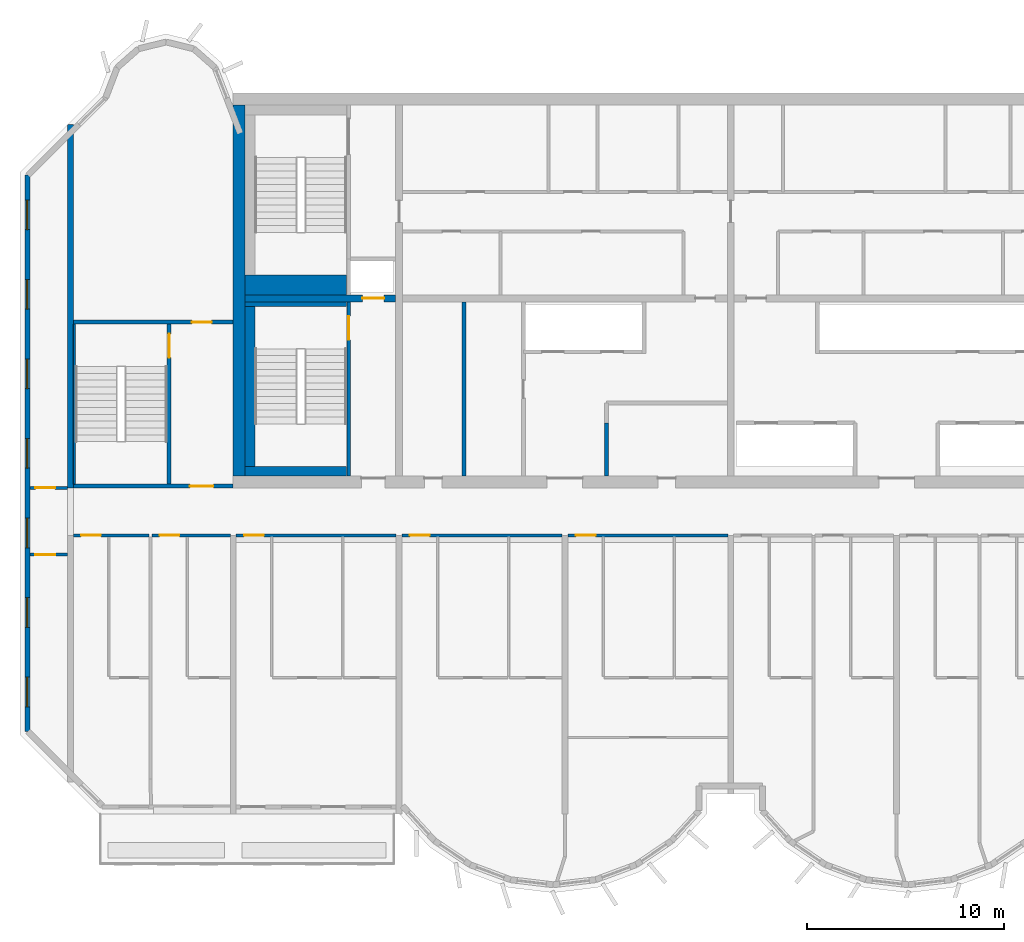
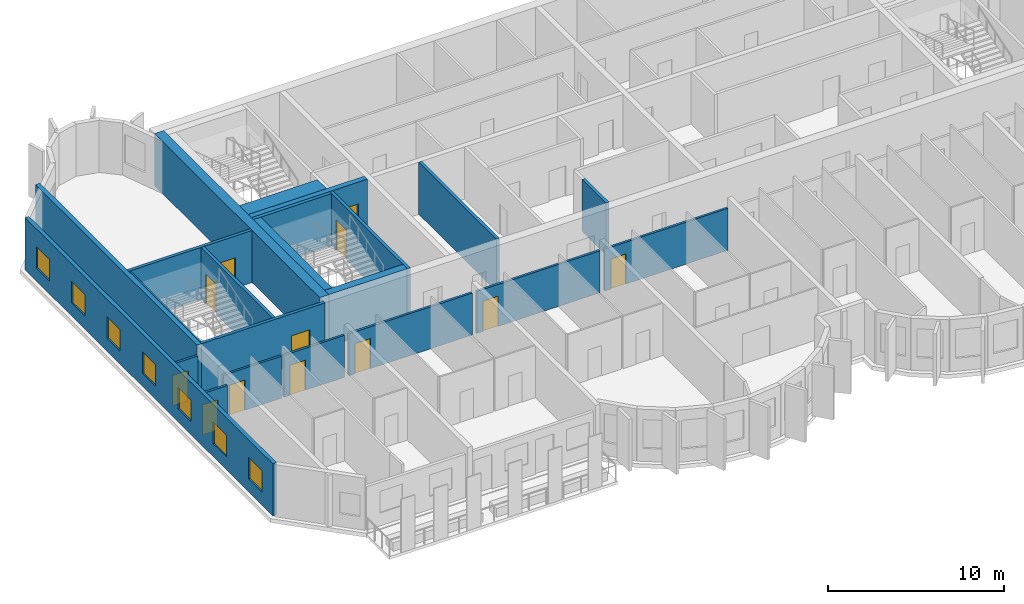
# One storey, part 3 of 11: 22 walls, 12 doors, 7 windows, 19 openings.
"""IFC4 building model written with IfcOpenShell, lengths in metres."""

from ifc_helpers import new_model, si_unit, direction, frame, frame_2d, origin, place, context, subcontext, project, spatial, rectangle, extrude, source, transform, mapped, material, layer, layer_set, type_object, element, fill, save


model = new_model("IFC4")

# Units and contexts
model_context = context("Model", 3, precision=1e-05, world=origin(), true_north=direction((0.0, 1.0)))
body_context = subcontext(model_context, "Body", "Model", "MODEL_VIEW")
ifc_project = project(units=[si_unit("LENGTHUNIT", "METRE"), si_unit("AREAUNIT", "SQUARE_METRE"), si_unit("VOLUMEUNIT", "CUBIC_METRE"), si_unit("PLANEANGLEUNIT", "RADIAN"), si_unit("MASSUNIT", "GRAM", prefix="KILO")], contexts=[model_context])

# Site, building, storey
site_placement = place(None, origin())
site = spatial("IfcSite", under=ifc_project, at=site_placement, CompositionType="ELEMENT")
building_placement = place(site_placement, origin())
building = spatial("IfcBuilding", under=site, at=building_placement, Name="Vanashikhar Sky Hotel", CompositionType="ELEMENT")
storey_placement = place(building_placement, frame((0.0, 0.0, 217.89990234375)))
storey = spatial("IfcBuildingStorey", under=building, at=storey_placement, Name="L52", CompositionType="ELEMENT", Elevation=217.89990234375)

# Wall
ifc_material_1 = material(Name="Concrete M60", Category="concrete")
ifc_layer_1 = layer(ifc_material_1, 0.60009765625)
ifc_layer_set_1 = layer_set([ifc_layer_1], Name="RC core shell wall 600 Concrete M60")
wall_type_1 = type_object("IfcWallType", Name="RC core shell wall 600 Concrete M60", PredefinedType="SHEAR", material=ifc_layer_set_1)
shared_shape_1 = source(origin(), body_context, "Body", "SweptSolid", [
    extrude(rectangle(XDim=18.7998046875, YDim=0.60009765625, at=frame_2d((9.39990234375, 0.0))), origin(), (0.0, 0.0, 1.0), 3.6201171875),
])
wall_1_placement = place(storey_placement, frame((25.5, 22.60009765625, 0.0), z_axis=(0.0, 0.0, 1.0), x_axis=(0.0, 1.0, 0.0)))
element("IfcWall", 1, at=wall_1_placement, inside=storey, type_object=wall_type_1, Name="KW-L52-KW", PredefinedType="SHEAR", context=body_context, shape_type="MappedRepresentation", body=[
    mapped(shared_shape_1, transform((0.0, 0.0, 0.0), scale=1.0)),
])

# Wall, opening, door
ifc_layer_2 = layer(ifc_material_1, 0.35009765625)
ifc_layer_set_2 = layer_set([ifc_layer_2], Name="RC core inner wall 350 Concrete M60")
wall_type_2 = type_object("IfcWallType", Name="RC core inner wall 350 Concrete M60", PredefinedType="SHEAR", material=ifc_layer_set_2)
shared_shape_2 = source(origin(), body_context, "Body", "SweptSolid", [
    extrude(rectangle(XDim=7.625, YDim=0.35009765625, at=frame_2d((3.8125, 0.0))), origin(), (0.0, 0.0, 1.0), 3.6201171875),
])
wall_2_placement = place(storey_placement, frame((25.800048828125, 31.60009765625, 0.0), z_axis=(0.0, 0.0, 1.0), x_axis=(1.0, 0.0, 0.0)))
wall_2 = element("IfcWall", 2, at=wall_2_placement, inside=storey, type_object=wall_type_2, Name="KW-L52-KY1", PredefinedType="SHEAR", context=body_context, shape_type="MappedRepresentation", body=[
    mapped(shared_shape_2, transform((0.0, 0.0, 0.0), scale=1.0)),
])
shared_shape_3 = source(origin(), body_context, "Body", "SweptSolid", [
    extrude(rectangle(XDim=1.10009765625, YDim=2.10009765625, at=frame_2d((0.550048828125, 1.050048828125))), frame((0.0, 0.18505859375, 0.0), z_axis=(0.0, -1.0, 0.0), x_axis=(1.0, 0.0, 0.0)), (0.0, 0.0, 1.0), 0.3701171875),
])
opening_1_placement = place(wall_2_placement, frame((5.93798828125, 0.0, 0.0)))
opening_1 = element("IfcOpeningElement", 3, at=opening_1_placement, cuts=wall_2, Name="Opening LD", PredefinedType="OPENING", context=body_context, shape_type="MappedRepresentation", body=[
    mapped(shared_shape_3, transform((0.0, 0.0, 0.0), scale=1.0)),
])
ifc_material_2 = material(Name="Stainless steel", Category="steel")
door_type_1 = type_object("IfcDoorType", Name="Lift landing door 1100", OperationType="NOTDEFINED", PredefinedType="DOOR", material=ifc_material_2)
shared_shape_4 = source(origin(), body_context, "Body", "SweptSolid", [
    extrude(rectangle(XDim=1.10009765625, YDim=2.10009765625, at=frame_2d((0.550048828125, 1.050048828125))), frame((0.0, 0.02490234375, 0.0), z_axis=(0.0, -1.0, 0.0), x_axis=(1.0, 0.0, 0.0)), (0.0, 0.0, 1.0), 0.050048828125),
])
door_1_placement = place(opening_1_placement, origin())
door_1 = element("IfcDoor", 4, at=door_1_placement, inside=storey, type_object=door_type_1, Name="Lift landing door 1100", OperationType="SLIDING_TO_LEFT", OverallHeight=2.10009765625, OverallWidth=1.10009765625, PredefinedType="DOOR", context=body_context, shape_type="MappedRepresentation", body=[
    mapped(shared_shape_4, transform((0.0, 0.0, 0.0), scale=1.0)),
])
fill(opening_1, door_1)

# Wall
ifc_layer_3 = layer(ifc_material_1, 0.300048828125)
ifc_layer_set_3 = layer_set([ifc_layer_3], Name="RC shear wall 300 Concrete M60")
wall_type_3 = type_object("IfcWallType", Name="RC shear wall 300 Concrete M60", PredefinedType="SHEAR", material=ifc_layer_set_3)
shared_shape_5 = source(origin(), body_context, "Body", "SweptSolid", [
    extrude(rectangle(XDim=18.39990234375, YDim=0.300048828125, at=frame_2d((9.199951171875, 0.0))), origin(), (0.0, 0.0, 1.0), 3.6201171875),
])
wall_3_placement = place(storey_placement, frame((16.949951171875, 22.0, 0.0), z_axis=(0.0, 0.0, 1.0), x_axis=(0.0, 1.0, 0.0)))
element("IfcWall", 5, at=wall_3_placement, inside=storey, type_object=wall_type_3, Name="CW-L52-XW03-2", PredefinedType="SHEAR", context=body_context, shape_type="MappedRepresentation", body=[
    mapped(shared_shape_5, transform((0.0, 0.0, 0.0), scale=1.0)),
])

# Wall, openings, windows
ifc_material_3 = material(Name="Concrete M50", Category="concrete")
ifc_layer_4 = layer(ifc_material_3, 0.25)
ifc_layer_set_4 = layer_set([ifc_layer_4], Name="Rear and end board-marked wall 250")
wall_type_4 = type_object("IfcWallType", Name="Rear and end board-marked wall 250", PredefinedType="SOLIDWALL", material=ifc_layer_set_4)
shared_shape_6 = source(origin(), body_context, "Body", "SweptSolid", [
    extrude(rectangle(XDim=28.189453125, YDim=0.25, at=frame_2d((14.0947265625, 0.0))), origin(), (0.0, 0.0, 1.0), 3.6201171875),
])
wall_4_placement = place(storey_placement, frame((14.77490234375, 37.8447265625, 0.0), z_axis=(0.0, 0.0, 1.0), x_axis=(0.0, -1.0, 0.0)))
wall_4 = element("IfcWall", 6, at=wall_4_placement, inside=storey, type_object=wall_type_4, Name="End board-marked wall", PredefinedType="SOLIDWALL", context=body_context, shape_type="MappedRepresentation", body=[
    mapped(shared_shape_6, transform((0.0, 0.0, 0.0), scale=1.0)),
])
shared_shape_7 = source(origin(), body_context, "Body", "SweptSolid", [
    extrude(rectangle(XDim=1.5, YDim=1.5, at=frame_2d((0.75, 0.75))), frame((0.0, 0.135009765625, 0.0), z_axis=(0.0, -1.0, 0.0), x_axis=(1.0, 0.0, 0.0)), (0.0, 0.0, 1.0), 0.27001953125),
])
opening_2_placement = place(wall_4_placement, frame((1.263427734375, 0.0, 0.89990234375)))
opening_2 = element("IfcOpeningElement", 7, at=opening_2_placement, cuts=wall_4, Name="Opening WN-1", PredefinedType="OPENING", context=body_context, shape_type="MappedRepresentation", body=[
    mapped(shared_shape_7, transform((0.0, 0.0, 0.0), scale=1.0)),
])
opening_3_placement = place(wall_4_placement, frame((5.29052734375, 0.0, 0.89990234375)))
opening_3 = element("IfcOpeningElement", 8, at=opening_3_placement, cuts=wall_4, Name="Opening WN-1", PredefinedType="OPENING", context=body_context, shape_type="MappedRepresentation", body=[
    mapped(shared_shape_7, transform((0.0, 0.0, 0.0), scale=1.0)),
])
opening_4_placement = place(wall_4_placement, frame((9.317626953125, 0.0, 0.89990234375)))
opening_4 = element("IfcOpeningElement", 9, at=opening_4_placement, cuts=wall_4, Name="Opening WN-1", PredefinedType="OPENING", context=body_context, shape_type="MappedRepresentation", body=[
    mapped(shared_shape_7, transform((0.0, 0.0, 0.0), scale=1.0)),
])
opening_5_placement = place(wall_4_placement, frame((13.3447265625, 0.0, 0.89990234375)))
opening_5 = element("IfcOpeningElement", 10, at=opening_5_placement, cuts=wall_4, Name="Opening WN-1", PredefinedType="OPENING", context=body_context, shape_type="MappedRepresentation", body=[
    mapped(shared_shape_7, transform((0.0, 0.0, 0.0), scale=1.0)),
])
opening_6_placement = place(wall_4_placement, frame((17.371826171875, 0.0, 0.89990234375)))
opening_6 = element("IfcOpeningElement", 11, at=opening_6_placement, cuts=wall_4, Name="Opening WN-1", PredefinedType="OPENING", context=body_context, shape_type="MappedRepresentation", body=[
    mapped(shared_shape_7, transform((0.0, 0.0, 0.0), scale=1.0)),
])
opening_7_placement = place(wall_4_placement, frame((21.398681640625, 0.0, 0.89990234375)))
opening_7 = element("IfcOpeningElement", 12, at=opening_7_placement, cuts=wall_4, Name="Opening WN-1", PredefinedType="OPENING", context=body_context, shape_type="MappedRepresentation", body=[
    mapped(shared_shape_7, transform((0.0, 0.0, 0.0), scale=1.0)),
])
opening_8_placement = place(wall_4_placement, frame((25.42578125, 0.0, 0.89990234375)))
opening_8 = element("IfcOpeningElement", 13, at=opening_8_placement, cuts=wall_4, Name="Opening WN-1", PredefinedType="OPENING", context=body_context, shape_type="MappedRepresentation", body=[
    mapped(shared_shape_7, transform((0.0, 0.0, 0.0), scale=1.0)),
])
ifc_material_4 = material(Name="Glass", Category="glass")
window_type = type_object("IfcWindowType", Name="Window 1500 x 1500", PartitioningType="SINGLE_PANEL", PredefinedType="WINDOW", material=ifc_material_4)
shared_shape_8 = source(origin(), body_context, "Body", "SweptSolid", [
    extrude(rectangle(XDim=1.5, YDim=1.5, at=frame_2d((0.75, 0.75))), frame((0.0, 0.030029296875, 0.0), z_axis=(0.0, -1.0, 0.0), x_axis=(1.0, 0.0, 0.0)), (0.0, 0.0, 1.0), 0.06005859375),
])
window_1_placement = place(opening_2_placement, origin())
window_1 = element("IfcWindow", 14, at=window_1_placement, inside=storey, type_object=window_type, Name="Window WN-1", OverallHeight=1.5, OverallWidth=1.5, PartitioningType="SINGLE_PANEL", PredefinedType="WINDOW", context=body_context, shape_type="MappedRepresentation", body=[
    mapped(shared_shape_8, transform((0.0, 0.0, 0.0), scale=1.0)),
])
fill(opening_2, window_1)
window_2_placement = place(opening_3_placement, origin())
window_2 = element("IfcWindow", 15, at=window_2_placement, inside=storey, type_object=window_type, Name="Window WN-1", OverallHeight=1.5, OverallWidth=1.5, PartitioningType="SINGLE_PANEL", PredefinedType="WINDOW", context=body_context, shape_type="MappedRepresentation", body=[
    mapped(shared_shape_8, transform((0.0, 0.0, 0.0), scale=1.0)),
])
fill(opening_3, window_2)
window_3_placement = place(opening_4_placement, origin())
window_3 = element("IfcWindow", 16, at=window_3_placement, inside=storey, type_object=window_type, Name="Window WN-1", OverallHeight=1.5, OverallWidth=1.5, PartitioningType="SINGLE_PANEL", PredefinedType="WINDOW", context=body_context, shape_type="MappedRepresentation", body=[
    mapped(shared_shape_8, transform((0.0, 0.0, 0.0), scale=1.0)),
])
fill(opening_4, window_3)
window_4_placement = place(opening_5_placement, origin())
window_4 = element("IfcWindow", 17, at=window_4_placement, inside=storey, type_object=window_type, Name="Window WN-1", OverallHeight=1.5, OverallWidth=1.5, PartitioningType="SINGLE_PANEL", PredefinedType="WINDOW", context=body_context, shape_type="MappedRepresentation", body=[
    mapped(shared_shape_8, transform((0.0, 0.0, 0.0), scale=1.0)),
])
fill(opening_5, window_4)
window_5_placement = place(opening_6_placement, origin())
window_5 = element("IfcWindow", 18, at=window_5_placement, inside=storey, type_object=window_type, Name="Window WN-1", OverallHeight=1.5, OverallWidth=1.5, PartitioningType="SINGLE_PANEL", PredefinedType="WINDOW", context=body_context, shape_type="MappedRepresentation", body=[
    mapped(shared_shape_8, transform((0.0, 0.0, 0.0), scale=1.0)),
])
fill(opening_6, window_5)
window_6_placement = place(opening_7_placement, origin())
window_6 = element("IfcWindow", 19, at=window_6_placement, inside=storey, type_object=window_type, Name="Window WN-1", OverallHeight=1.5, OverallWidth=1.5, PartitioningType="SINGLE_PANEL", PredefinedType="WINDOW", context=body_context, shape_type="MappedRepresentation", body=[
    mapped(shared_shape_8, transform((0.0, 0.0, 0.0), scale=1.0)),
])
fill(opening_7, window_6)
window_7_placement = place(opening_8_placement, origin())
window_7 = element("IfcWindow", 20, at=window_7_placement, inside=storey, type_object=window_type, Name="Window WN-1", OverallHeight=1.5, OverallWidth=1.5, PartitioningType="SINGLE_PANEL", PredefinedType="WINDOW", context=body_context, shape_type="MappedRepresentation", body=[
    mapped(shared_shape_8, transform((0.0, 0.0, 0.0), scale=1.0)),
])
fill(opening_8, window_7)

# Walls
ifc_material_5 = material(Name="Gypsum board partition")
ifc_layer_5 = layer(ifc_material_5, 0.14990234375)
ifc_layer_set_5 = layer_set([ifc_layer_5], Name="Service partition 150")
wall_type_5 = type_object("IfcWallType", Name="Service partition 150", PredefinedType="PARTITIONING", material=ifc_layer_set_5)
shared_shape_9 = source(origin(), body_context, "Body", "SweptSolid", [
    extrude(rectangle(XDim=8.824951171875, YDim=0.199951171875, at=frame_2d((4.41259765625, 0.0))), origin(), (0.0, 0.0, 1.0), 3.6201171875),
])
wall_5_placement = place(storey_placement, frame((36.89990234375, 22.60009765625, 0.0), z_axis=(0.0, 0.0, 1.0), x_axis=(0.0, 1.0, 0.0)))
element("IfcWall", 21, at=wall_5_placement, inside=storey, type_object=wall_type_5, Name="Service partition 150", PredefinedType="PARTITIONING", context=body_context, shape_type="MappedRepresentation", body=[
    mapped(shared_shape_9, transform((0.0, 0.0, 0.0), scale=1.0)),
])
shared_shape_10 = source(origin(), body_context, "Body", "SweptSolid", [
    extrude(rectangle(XDim=2.699951171875, YDim=0.199951171875, at=frame_2d((1.35009765625, 0.0))), origin(), (0.0, 0.0, 1.0), 3.6201171875),
])
wall_6_placement = place(storey_placement, frame((44.10009765625, 22.60009765625, 0.0), z_axis=(0.0, 0.0, 1.0), x_axis=(0.0, 1.0, 0.0)))
element("IfcWall", 22, at=wall_6_placement, inside=storey, type_object=wall_type_5, Name="Service partition 150", PredefinedType="PARTITIONING", context=body_context, shape_type="MappedRepresentation", body=[
    mapped(shared_shape_10, transform((0.0, 0.0, 0.0), scale=1.0)),
])

# Wall, opening, door
ifc_layer_6 = layer(ifc_material_3, 0.199951171875)
ifc_layer_set_6 = layer_set([ifc_layer_6], Name="Stair wall 200")
wall_type_6 = type_object("IfcWallType", Name="Stair wall 200", PredefinedType="SOLIDWALL", material=ifc_layer_set_6)
shared_shape_11 = source(origin(), body_context, "Body", "SweptSolid", [
    extrude(rectangle(XDim=8.824951171875, YDim=0.199951171875, at=frame_2d((4.41259765625, 0.0))), origin(), (0.0, 0.0, 1.0), 3.6201171875),
])
wall_7_placement = place(storey_placement, frame((31.050048828125, 22.60009765625, 0.0), z_axis=(0.0, 0.0, 1.0), x_axis=(0.0, 1.0, 0.0)))
wall_7 = element("IfcWall", 23, at=wall_7_placement, inside=storey, type_object=wall_type_6, Name="Stair wall 200", PredefinedType="SOLIDWALL", context=body_context, shape_type="MappedRepresentation", body=[
    mapped(shared_shape_11, transform((0.0, 0.0, 0.0), scale=1.0)),
])
shared_shape_12 = source(origin(), body_context, "Body", "SweptSolid", [
    extrude(rectangle(XDim=1.199951171875, YDim=2.10009765625, at=frame_2d((0.60009765625, 1.050048828125))), frame((0.0, 0.10986328125, 0.0), z_axis=(0.0, -1.0, 0.0), x_axis=(1.0, 0.0, 0.0)), (0.0, 0.0, 1.0), 0.219970703125),
])
opening_9_placement = place(wall_7_placement, frame((6.89990234375, 0.0, 0.0)))
opening_9 = element("IfcOpeningElement", 24, at=opening_9_placement, cuts=wall_7, Name="Opening DC-1", PredefinedType="OPENING", context=body_context, shape_type="MappedRepresentation", body=[
    mapped(shared_shape_12, transform((0.0, 0.0, 0.0), scale=1.0)),
])
ifc_material_6 = material(Name="Steel", Category="steel")
door_type_2 = type_object("IfcDoorType", Name="Stair door 1200 FD120", OperationType="NOTDEFINED", PredefinedType="DOOR", material=ifc_material_6)
shared_shape_13 = source(origin(), body_context, "Body", "SweptSolid", [
    extrude(rectangle(XDim=1.199951171875, YDim=2.10009765625, at=frame_2d((0.60009765625, 1.050048828125))), frame((0.0, 0.02490234375, 0.0), z_axis=(0.0, -1.0, 0.0), x_axis=(1.0, 0.0, 0.0)), (0.0, 0.0, 1.0), 0.050048828125),
])
door_2_placement = place(opening_9_placement, origin())
door_2 = element("IfcDoor", 25, at=door_2_placement, inside=storey, type_object=door_type_2, Name="Stair door 1200 FD120", OperationType="SINGLE_SWING_RIGHT", OverallHeight=2.10009765625, OverallWidth=1.199951171875, PredefinedType="DOOR", context=body_context, shape_type="MappedRepresentation", body=[
    mapped(shared_shape_13, transform((0.0, 0.0, 0.0), scale=1.0)),
])
fill(opening_9, door_2)

shared_shape_14 = source(origin(), body_context, "Body", "SweptSolid", [
    extrude(rectangle(XDim=8.2998046875, YDim=0.199951171875, at=frame_2d((4.14990234375, 0.0))), origin(), (0.0, 0.0, 1.0), 3.6201171875),
])
wall_8_placement = place(storey_placement, frame((21.949951171875, 22.10009765625, 0.0), z_axis=(0.0, 0.0, 1.0), x_axis=(0.0, 1.0, 0.0)))
wall_8 = element("IfcWall", 26, at=wall_8_placement, inside=storey, type_object=wall_type_6, Name="Stair wall 200", PredefinedType="SOLIDWALL", context=body_context, shape_type="MappedRepresentation", body=[
    mapped(shared_shape_14, transform((0.0, 0.0, 0.0), scale=1.0)),
])
opening_10_placement = place(wall_8_placement, frame((6.5, 0.0, 0.0)))
opening_10 = element("IfcOpeningElement", 27, at=opening_10_placement, cuts=wall_8, Name="Opening DC-1", PredefinedType="OPENING", context=body_context, shape_type="MappedRepresentation", body=[
    mapped(shared_shape_12, transform((0.0, 0.0, 0.0), scale=1.0)),
])
door_3_placement = place(opening_10_placement, origin())
door_3 = element("IfcDoor", 28, at=door_3_placement, inside=storey, type_object=door_type_2, Name="Stair door 1200 FD120", OperationType="SINGLE_SWING_RIGHT", OverallHeight=2.10009765625, OverallWidth=1.199951171875, PredefinedType="DOOR", context=body_context, shape_type="MappedRepresentation", body=[
    mapped(shared_shape_13, transform((0.0, 0.0, 0.0), scale=1.0)),
])
fill(opening_10, door_3)

shared_shape_15 = source(origin(), body_context, "Body", "SweptSolid", [
    extrude(rectangle(XDim=8.099853515625, YDim=0.199951171875, at=frame_2d((4.0498046875, 0.0))), origin(), (0.0, 0.0, 1.0), 3.6201171875),
])
wall_9_placement = place(storey_placement, frame((17.10009765625, 22.10009765625, 0.0), z_axis=(0.0, 0.0, 1.0), x_axis=(1.0, 0.0, 0.0)))
wall_9 = element("IfcWall", 29, at=wall_9_placement, inside=storey, type_object=wall_type_6, Name="Stair wall 200", PredefinedType="SOLIDWALL", context=body_context, shape_type="MappedRepresentation", body=[
    mapped(shared_shape_15, transform((0.0, 0.0, 0.0), scale=1.0)),
])
opening_11_placement = place(wall_9_placement, frame((5.89990234375, 0.0, 0.0)))
opening_11 = element("IfcOpeningElement", 30, at=opening_11_placement, cuts=wall_9, Name="Opening DC-2", PredefinedType="OPENING", context=body_context, shape_type="MappedRepresentation", body=[
    mapped(shared_shape_12, transform((0.0, 0.0, 0.0), scale=1.0)),
])
door_type_3 = type_object("IfcDoorType", Name="Firefighting lobby door 1200 FD120", OperationType="NOTDEFINED", PredefinedType="DOOR", material=ifc_material_6)
door_4_placement = place(opening_11_placement, origin())
door_4 = element("IfcDoor", 31, at=door_4_placement, inside=storey, type_object=door_type_3, Name="Firefighting lobby door 1200 FD120", OperationType="SINGLE_SWING_RIGHT", OverallHeight=2.10009765625, OverallWidth=1.199951171875, PredefinedType="DOOR", context=body_context, shape_type="MappedRepresentation", body=[
    mapped(shared_shape_13, transform((0.0, 0.0, 0.0), scale=1.0)),
])
fill(opening_11, door_4)

wall_10_placement = place(storey_placement, frame((17.10009765625, 30.39990234375, 0.0), z_axis=(0.0, 0.0, 1.0), x_axis=(1.0, 0.0, 0.0)))
wall_10 = element("IfcWall", 32, at=wall_10_placement, inside=storey, type_object=wall_type_6, Name="Stair wall 200", PredefinedType="SOLIDWALL", context=body_context, shape_type="MappedRepresentation", body=[
    mapped(shared_shape_15, transform((0.0, 0.0, 0.0), scale=1.0)),
])
shared_shape_16 = source(origin(), body_context, "Body", "SweptSolid", [
    extrude(rectangle(XDim=1.0, YDim=2.10009765625, at=frame_2d((0.5, 1.050048828125))), frame((0.0, 0.10986328125, 0.0), z_axis=(0.0, -1.0, 0.0), x_axis=(1.0, 0.0, 0.0)), (0.0, 0.0, 1.0), 0.219970703125),
])
opening_12_placement = place(wall_10_placement, frame((6.0, 0.0, 0.0)))
opening_12 = element("IfcOpeningElement", 33, at=opening_12_placement, cuts=wall_10, Name="Opening DC-6", PredefinedType="OPENING", context=body_context, shape_type="MappedRepresentation", body=[
    mapped(shared_shape_16, transform((0.0, 0.0, 0.0), scale=1.0)),
])
door_type_4 = type_object("IfcDoorType", Name="Pocket door 1000 FD60", OperationType="NOTDEFINED", PredefinedType="DOOR", material=ifc_material_6)
shared_shape_17 = source(origin(), body_context, "Body", "SweptSolid", [
    extrude(rectangle(XDim=1.0, YDim=2.10009765625, at=frame_2d((0.5, 1.050048828125))), frame((0.0, 0.02490234375, 0.0), z_axis=(0.0, -1.0, 0.0), x_axis=(1.0, 0.0, 0.0)), (0.0, 0.0, 1.0), 0.050048828125),
])
door_5_placement = place(opening_12_placement, origin())
door_5 = element("IfcDoor", 34, at=door_5_placement, inside=storey, type_object=door_type_4, Name="Pocket door 1000 FD60", OperationType="SINGLE_SWING_RIGHT", OverallHeight=2.10009765625, OverallWidth=1.0, PredefinedType="DOOR", context=body_context, shape_type="MappedRepresentation", body=[
    mapped(shared_shape_17, transform((0.0, 0.0, 0.0), scale=1.0)),
])
fill(opening_12, door_5)

# Walls
ifc_layer_7 = layer(ifc_material_3, 0.5)
ifc_layer_set_7 = layer_set([ifc_layer_7], Name="Stair infill wall 500")
wall_type_7 = type_object("IfcWallType", Name="Stair infill wall 500", PredefinedType="SOLIDWALL", material=ifc_layer_set_7)
shared_shape_18 = source(origin(), body_context, "Body", "SweptSolid", [
    extrude(rectangle(XDim=5.14990234375, YDim=0.5, at=frame_2d((2.574951171875, 0.0))), origin(), (0.0, 0.0, 1.0), 3.6201171875),
])
wall_11_placement = place(storey_placement, frame((25.800048828125, 22.85009765625, 0.0), z_axis=(0.0, 0.0, 1.0), x_axis=(1.0, 0.0, 0.0)))
element("IfcWall", 35, at=wall_11_placement, inside=storey, type_object=wall_type_7, Name="Stair infill wall 500", PredefinedType="SOLIDWALL", context=body_context, shape_type="MappedRepresentation", body=[
    mapped(shared_shape_18, transform((0.0, 0.0, 0.0), scale=1.0)),
])
ifc_layer_8 = layer(ifc_material_3, 0.22509765625)
ifc_layer_set_8 = layer_set([ifc_layer_8], Name="Stair infill wall 225")
wall_type_8 = type_object("IfcWallType", Name="Stair infill wall 225", PredefinedType="SOLIDWALL", material=ifc_layer_set_8)
shared_shape_19 = source(origin(), body_context, "Body", "SweptSolid", [
    extrude(rectangle(XDim=5.14990234375, YDim=0.22509765625, at=frame_2d((2.574951171875, 0.0))), origin(), (0.0, 0.0, 1.0), 3.6201171875),
])
wall_12_placement = place(storey_placement, frame((25.800048828125, 31.31201171875, 0.0), z_axis=(0.0, 0.0, 1.0), x_axis=(1.0, 0.0, 0.0)))
element("IfcWall", 36, at=wall_12_placement, inside=storey, type_object=wall_type_8, Name="Stair infill wall 225", PredefinedType="SOLIDWALL", context=body_context, shape_type="MappedRepresentation", body=[
    mapped(shared_shape_19, transform((0.0, 0.0, 0.0), scale=1.0)),
])
shared_shape_20 = source(origin(), body_context, "Body", "SweptSolid", [
    extrude(rectangle(XDim=8.099853515625, YDim=0.5, at=frame_2d((4.0498046875, 0.0))), origin(), (0.0, 0.0, 1.0), 3.6201171875),
])
wall_13_placement = place(storey_placement, frame((26.050048828125, 23.10009765625, 0.0), z_axis=(0.0, 0.0, 1.0), x_axis=(0.0, 1.0, 0.0)))
element("IfcWall", 37, at=wall_13_placement, inside=storey, type_object=wall_type_7, Name="Stair infill wall 500", PredefinedType="SOLIDWALL", context=body_context, shape_type="MappedRepresentation", body=[
    mapped(shared_shape_20, transform((0.0, 0.0, 0.0), scale=1.0)),
])
ifc_layer_9 = layer(ifc_material_3, 0.10009765625)
ifc_layer_set_9 = layer_set([ifc_layer_9], Name="Stair infill wall 100")
wall_type_9 = type_object("IfcWallType", Name="Stair infill wall 100", PredefinedType="SOLIDWALL", material=ifc_layer_set_9)
shared_shape_21 = source(origin(), body_context, "Body", "SweptSolid", [
    extrude(rectangle(XDim=8.10009765625, YDim=0.10009765625, at=frame_2d((4.050048828125, 0.0))), origin(), (0.0, 0.0, 1.0), 3.6201171875),
])
wall_14_placement = place(storey_placement, frame((17.14990234375, 22.199951171875, 0.0), z_axis=(0.0, 0.0, 1.0), x_axis=(0.0, 1.0, 0.0)))
element("IfcWall", 38, at=wall_14_placement, inside=storey, type_object=wall_type_9, Name="Stair infill wall 100", PredefinedType="SOLIDWALL", context=body_context, shape_type="MappedRepresentation", body=[
    mapped(shared_shape_21, transform((0.0, 0.0, 0.0), scale=1.0)),
])
ifc_layer_10 = layer(ifc_material_3, 1.02490234375)
ifc_layer_set_10 = layer_set([ifc_layer_10], Name="Stair infill wall 1025")
wall_type_10 = type_object("IfcWallType", Name="Stair infill wall 1025", PredefinedType="SOLIDWALL", material=ifc_layer_set_10)
shared_shape_22 = source(origin(), body_context, "Body", "SweptSolid", [
    extrude(rectangle(XDim=5.14990234375, YDim=1.02490234375, at=frame_2d((2.574951171875, 0.0))), origin(), (0.0, 0.0, 1.0), 3.6201171875),
])
wall_15_placement = place(storey_placement, frame((25.800048828125, 32.287109375, 0.0), z_axis=(0.0, 0.0, 1.0), x_axis=(1.0, 0.0, 0.0)))
element("IfcWall", 39, at=wall_15_placement, inside=storey, type_object=wall_type_10, Name="Stair infill wall 1025", PredefinedType="SOLIDWALL", context=body_context, shape_type="MappedRepresentation", body=[
    mapped(shared_shape_22, transform((0.0, 0.0, 0.0), scale=1.0)),
])

# Wall, opening, door
ifc_material_7 = material(Name="Gypsum plasterboard partition")
ifc_layer_11 = layer(ifc_material_7, 0.14990234375)
ifc_layer_set_11 = layer_set([ifc_layer_11], Name="Corridor and demising partition 150")
wall_type_11 = type_object("IfcWallType", Name="Corridor and demising partition 150", PredefinedType="PARTITIONING", material=ifc_layer_set_11)
shared_shape_23 = source(origin(), body_context, "Body", "SweptSolid", [
    extrude(rectangle(XDim=3.824951171875, YDim=0.14990234375, at=frame_2d((1.91259765625, 0.0))), origin(), (0.0, 0.0, 1.0), 2.920166015625),
])
wall_16_placement = place(storey_placement, frame((17.10009765625, 19.60009765625, 0.0), z_axis=(0.0, 0.0, 1.0), x_axis=(1.0, 0.0, 0.0)))
wall_16 = element("IfcWall", 40, at=wall_16_placement, inside=storey, type_object=wall_type_11, Name="W-L52-PW003", PredefinedType="PARTITIONING", context=body_context, shape_type="MappedRepresentation", body=[
    mapped(shared_shape_23, transform((0.0, 0.0, 0.0), scale=1.0)),
])
shared_shape_24 = source(origin(), body_context, "Body", "SweptSolid", [
    extrude(rectangle(XDim=1.0, YDim=2.10009765625, at=frame_2d((0.5, 1.050048828125))), frame((0.0, 0.0849609375, 0.0), z_axis=(0.0, -1.0, 0.0), x_axis=(1.0, 0.0, 0.0)), (0.0, 0.0, 1.0), 0.169921875),
])
opening_13_placement = place(wall_16_placement, frame((0.39990234375, 0.0, 0.0)))
opening_13 = element("IfcOpeningElement", 41, at=opening_13_placement, cuts=wall_16, Name="Opening D-01", PredefinedType="OPENING", context=body_context, shape_type="MappedRepresentation", body=[
    mapped(shared_shape_24, transform((0.0, 0.0, 0.0), scale=1.0)),
])
ifc_material_8 = material(Name="Timber fire door", Category="wood")
door_type_5 = type_object("IfcDoorType", Name="Guest entry door 1000 FD30S", OperationType="NOTDEFINED", PredefinedType="DOOR", material=ifc_material_8)
door_6_placement = place(opening_13_placement, origin())
door_6 = element("IfcDoor", 42, at=door_6_placement, inside=storey, type_object=door_type_5, Name="D-L52-002", OperationType="SINGLE_SWING_LEFT", OverallHeight=2.10009765625, OverallWidth=1.0, PredefinedType="DOOR", context=body_context, shape_type="MappedRepresentation", body=[
    mapped(shared_shape_17, transform((0.0, 0.0, 0.0), scale=1.0)),
])
fill(opening_13, door_6)

shared_shape_25 = source(origin(), body_context, "Body", "SweptSolid", [
    extrude(rectangle(XDim=3.97509765625, YDim=0.14990234375, at=frame_2d((1.987548828125, 0.0))), origin(), (0.0, 0.0, 1.0), 2.920166015625),
])
wall_17_placement = place(storey_placement, frame((21.074951171875, 19.60009765625, 0.0), z_axis=(0.0, 0.0, 1.0), x_axis=(1.0, 0.0, 0.0)))
wall_17 = element("IfcWall", 43, at=wall_17_placement, inside=storey, type_object=wall_type_11, Name="W-L52-PW006", PredefinedType="PARTITIONING", context=body_context, shape_type="MappedRepresentation", body=[
    mapped(shared_shape_25, transform((0.0, 0.0, 0.0), scale=1.0)),
])
opening_14_placement = place(wall_17_placement, frame((0.39990234375, 0.0, 0.0)))
opening_14 = element("IfcOpeningElement", 44, at=opening_14_placement, cuts=wall_17, Name="Opening D-01", PredefinedType="OPENING", context=body_context, shape_type="MappedRepresentation", body=[
    mapped(shared_shape_24, transform((0.0, 0.0, 0.0), scale=1.0)),
])
door_7_placement = place(opening_14_placement, origin())
door_7 = element("IfcDoor", 45, at=door_7_placement, inside=storey, type_object=door_type_5, Name="D-L52-004", OperationType="SINGLE_SWING_LEFT", OverallHeight=2.10009765625, OverallWidth=1.0, PredefinedType="DOOR", context=body_context, shape_type="MappedRepresentation", body=[
    mapped(shared_shape_17, transform((0.0, 0.0, 0.0), scale=1.0)),
])
fill(opening_14, door_7)

shared_shape_26 = source(origin(), body_context, "Body", "SweptSolid", [
    extrude(rectangle(XDim=8.099853515625, YDim=0.14990234375, at=frame_2d((4.0498046875, 0.0))), origin(), (0.0, 0.0, 1.0), 2.920166015625),
])
wall_18_placement = place(storey_placement, frame((25.35009765625, 19.60009765625, 0.0), z_axis=(0.0, 0.0, 1.0), x_axis=(1.0, 0.0, 0.0)))
wall_18 = element("IfcWall", 46, at=wall_18_placement, inside=storey, type_object=wall_type_11, Name="W-L52-PW012", PredefinedType="PARTITIONING", context=body_context, shape_type="MappedRepresentation", body=[
    mapped(shared_shape_26, transform((0.0, 0.0, 0.0), scale=1.0)),
])
opening_15_placement = place(wall_18_placement, frame((0.39990234375, 0.0, 0.0)))
opening_15 = element("IfcOpeningElement", 47, at=opening_15_placement, cuts=wall_18, Name="Opening D-01", PredefinedType="OPENING", context=body_context, shape_type="MappedRepresentation", body=[
    mapped(shared_shape_24, transform((0.0, 0.0, 0.0), scale=1.0)),
])
door_8_placement = place(opening_15_placement, origin())
door_8 = element("IfcDoor", 48, at=door_8_placement, inside=storey, type_object=door_type_5, Name="D-L52-007", OperationType="SINGLE_SWING_LEFT", OverallHeight=2.10009765625, OverallWidth=1.0, PredefinedType="DOOR", context=body_context, shape_type="MappedRepresentation", body=[
    mapped(shared_shape_17, transform((0.0, 0.0, 0.0), scale=1.0)),
])
fill(opening_15, door_8)

shared_shape_27 = source(origin(), body_context, "Body", "SweptSolid", [
    extrude(rectangle(XDim=8.10009765625, YDim=0.14990234375, at=frame_2d((4.050048828125, 0.0))), origin(), (0.0, 0.0, 1.0), 2.920166015625),
])
wall_19_placement = place(storey_placement, frame((33.75, 19.60009765625, 0.0), z_axis=(0.0, 0.0, 1.0), x_axis=(1.0, 0.0, 0.0)))
wall_19 = element("IfcWall", 49, at=wall_19_placement, inside=storey, type_object=wall_type_11, Name="W-L52-PW017", PredefinedType="PARTITIONING", context=body_context, shape_type="MappedRepresentation", body=[
    mapped(shared_shape_27, transform((0.0, 0.0, 0.0), scale=1.0)),
])
opening_16_placement = place(wall_19_placement, frame((0.39990234375, 0.0, 0.0)))
opening_16 = element("IfcOpeningElement", 50, at=opening_16_placement, cuts=wall_19, Name="Opening D-01", PredefinedType="OPENING", context=body_context, shape_type="MappedRepresentation", body=[
    mapped(shared_shape_24, transform((0.0, 0.0, 0.0), scale=1.0)),
])
door_9_placement = place(opening_16_placement, origin())
door_9 = element("IfcDoor", 51, at=door_9_placement, inside=storey, type_object=door_type_5, Name="D-L52-010", OperationType="SINGLE_SWING_LEFT", OverallHeight=2.10009765625, OverallWidth=1.0, PredefinedType="DOOR", context=body_context, shape_type="MappedRepresentation", body=[
    mapped(shared_shape_17, transform((0.0, 0.0, 0.0), scale=1.0)),
])
fill(opening_16, door_9)

wall_20_placement = place(storey_placement, frame((42.14990234375, 19.60009765625, 0.0), z_axis=(0.0, 0.0, 1.0), x_axis=(1.0, 0.0, 0.0)))
wall_20 = element("IfcWall", 52, at=wall_20_placement, inside=storey, type_object=wall_type_11, Name="W-L52-PW023", PredefinedType="PARTITIONING", context=body_context, shape_type="MappedRepresentation", body=[
    mapped(shared_shape_27, transform((0.0, 0.0, 0.0), scale=1.0)),
])
opening_17_placement = place(wall_20_placement, frame((0.39990234375, 0.0, 0.0)))
opening_17 = element("IfcOpeningElement", 53, at=opening_17_placement, cuts=wall_20, Name="Opening D-01", PredefinedType="OPENING", context=body_context, shape_type="MappedRepresentation", body=[
    mapped(shared_shape_24, transform((0.0, 0.0, 0.0), scale=1.0)),
])
door_10_placement = place(opening_17_placement, origin())
door_10 = element("IfcDoor", 54, at=door_10_placement, inside=storey, type_object=door_type_5, Name="D-L52-014", OperationType="SINGLE_SWING_LEFT", OverallHeight=2.10009765625, OverallWidth=1.0, PredefinedType="DOOR", context=body_context, shape_type="MappedRepresentation", body=[
    mapped(shared_shape_17, transform((0.0, 0.0, 0.0), scale=1.0)),
])
fill(opening_17, door_10)

shared_shape_28 = source(origin(), body_context, "Body", "SweptSolid", [
    extrude(rectangle(XDim=1.900146484375, YDim=0.14990234375, at=frame_2d((0.9501953125, 0.0))), origin(), (0.0, 0.0, 1.0), 2.920166015625),
])
wall_21_placement = place(storey_placement, frame((14.89990234375, 22.0, 0.0), z_axis=(0.0, 0.0, 1.0), x_axis=(1.0, 0.0, 0.0)))
wall_21 = element("IfcWall", 55, at=wall_21_placement, inside=storey, type_object=wall_type_11, Name="W-L52-PW052", PredefinedType="PARTITIONING", context=body_context, shape_type="MappedRepresentation", body=[
    mapped(shared_shape_28, transform((0.0, 0.0, 0.0), scale=1.0)),
])
opening_18_placement = place(wall_21_placement, frame((0.27490234375, 0.0, 0.0)))
opening_18 = element("IfcOpeningElement", 56, at=opening_18_placement, cuts=wall_21, Name="Opening D-01", PredefinedType="OPENING", context=body_context, shape_type="MappedRepresentation", body=[
    mapped(shared_shape_24, transform((0.0, 0.0, 0.0), scale=1.0)),
])
door_11_placement = place(opening_18_placement, origin())
door_11 = element("IfcDoor", 57, at=door_11_placement, inside=storey, type_object=door_type_5, Name="D-L52-030", OperationType="SINGLE_SWING_LEFT", OverallHeight=2.10009765625, OverallWidth=1.0, PredefinedType="DOOR", context=body_context, shape_type="MappedRepresentation", body=[
    mapped(shared_shape_17, transform((0.0, 0.0, 0.0), scale=1.0)),
])
fill(opening_18, door_11)

wall_22_placement = place(storey_placement, frame((14.89990234375, 18.6279296875, 0.0), z_axis=(0.0, 0.0, 1.0), x_axis=(1.0, 0.0, 0.0)))
wall_22 = element("IfcWall", 58, at=wall_22_placement, inside=storey, type_object=wall_type_11, Name="W-L52-PW054", PredefinedType="PARTITIONING", context=body_context, shape_type="MappedRepresentation", body=[
    mapped(shared_shape_28, transform((0.0, 0.0, 0.0), scale=1.0)),
])
opening_19_placement = place(wall_22_placement, frame((0.27490234375, 0.0, 0.0)))
opening_19 = element("IfcOpeningElement", 59, at=opening_19_placement, cuts=wall_22, Name="Opening D-01", PredefinedType="OPENING", context=body_context, shape_type="MappedRepresentation", body=[
    mapped(shared_shape_24, transform((0.0, 0.0, 0.0), scale=1.0)),
])
door_12_placement = place(opening_19_placement, origin())
door_12 = element("IfcDoor", 60, at=door_12_placement, inside=storey, type_object=door_type_5, Name="D-L52-032", OperationType="SINGLE_SWING_LEFT", OverallHeight=2.10009765625, OverallWidth=1.0, PredefinedType="DOOR", context=body_context, shape_type="MappedRepresentation", body=[
    mapped(shared_shape_17, transform((0.0, 0.0, 0.0), scale=1.0)),
])
fill(opening_19, door_12)

save(model, "model.ifc")
